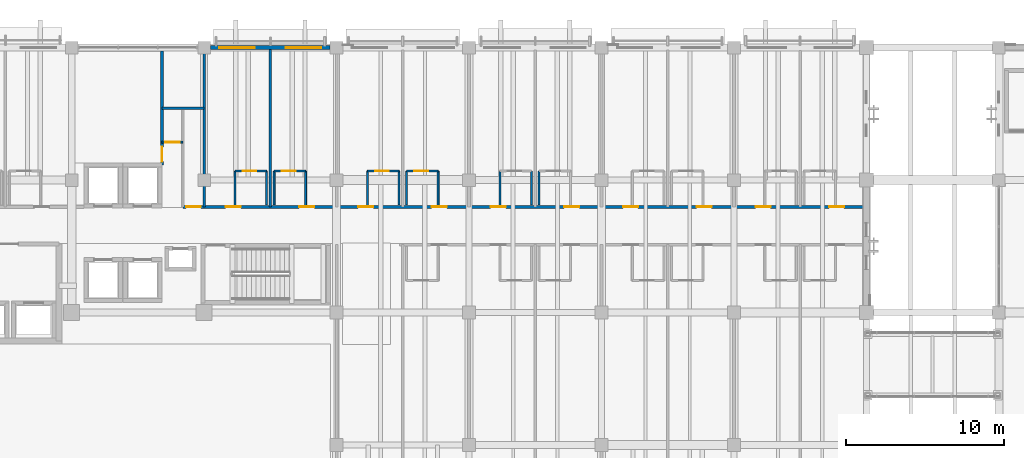
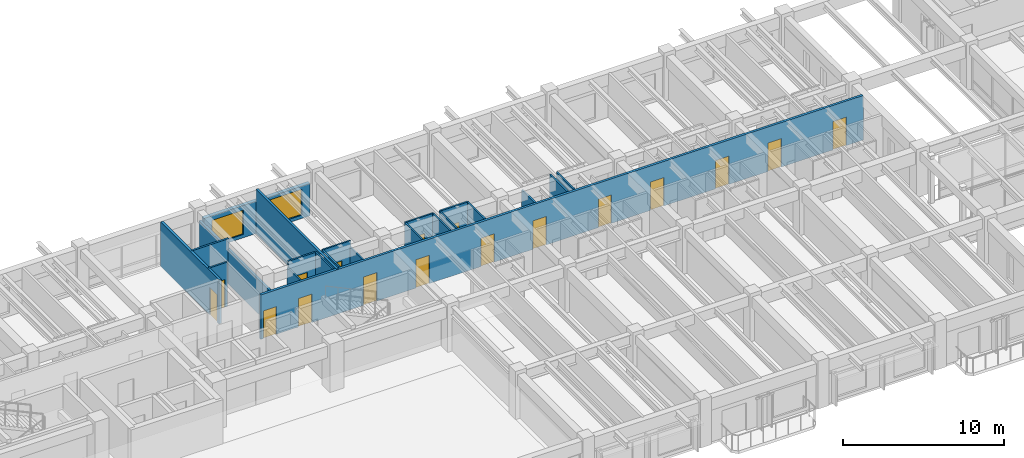
# One storey, part 74 of 118: 22 walls, 17 doors, 2 windows, 19 openings.
"""IFC4 building model written with IfcOpenShell, lengths in metres."""

from ifc_helpers import new_model, si_unit, direction, frame, frame_2d, origin, place, context, subcontext, project, spatial, rectangle, extrude, material, layer, layer_set, type_object, element, fill, save


model = new_model("IFC4")

# Units and contexts
model_context = context("Model", 3, precision=1e-05, world=origin(), true_north=direction((0.0, 1.0)))
body_context = subcontext(model_context, "Body", "Model", "MODEL_VIEW")
ifc_project = project(units=[si_unit("LENGTHUNIT", "METRE"), si_unit("AREAUNIT", "SQUARE_METRE"), si_unit("VOLUMEUNIT", "CUBIC_METRE"), si_unit("PLANEANGLEUNIT", "RADIAN"), si_unit("MASSUNIT", "GRAM", prefix="KILO")], contexts=[model_context])

# Site, building, storey
site_placement = place(None, origin())
site = spatial("IfcSite", under=ifc_project, at=site_placement, CompositionType="ELEMENT")
building_placement = place(site_placement, origin())
building = spatial("IfcBuilding", under=site, at=building_placement, Name="Cumbredor Promenade Congress Hotel", CompositionType="ELEMENT")
storey_placement = place(building_placement, frame((0.0, 0.0, 3.919921875)))
storey = spatial("IfcBuildingStorey", under=building, at=storey_placement, Name="L01", CompositionType="ELEMENT", Elevation=3.919921875)

# Wall, opening, door
ifc_material_1 = material(Name="Moisture-resistant gypsum board on steel studs", Category="steel")
ifc_layer_1 = layer(ifc_material_1, 0.114990234375, Name="Moisture-resistant gypsum board on steel studs", Category="steel")
ifc_layer_set_1 = layer_set([ifc_layer_1], Name="Moisture-resistant gypsum board on steel studs")
wall_type_1 = type_object("IfcWallType", Name="WL-BATH-115", PredefinedType="PARTITIONING", material=ifc_layer_set_1)
wall_1_placement = place(storey_placement, frame((43.9599609375, 109.77001953125, 0.0), z_axis=(0.0, 0.0, 1.0), x_axis=(1.0, 0.0, 0.0)))
wall_1 = element("IfcWall", 1, at=wall_1_placement, inside=storey, type_object=wall_type_1, Name="L01 Interior Partition W-L01-BH-0109", PredefinedType="PARTITIONING", context=body_context, shape_type="SweptSolid", body=[
    extrude(rectangle(XDim=2.0, YDim=0.114990234375, at=frame_2d((1.0, 0.0))), origin(), (0.0, 0.0, 1.0), 3.360107421875),
])
opening_1_placement = place(wall_1_placement, frame((0.5, 0.0, 0.0)))
opening_1 = element("IfcOpeningElement", 2, at=opening_1_placement, cuts=wall_1, Name="Opening ID-01", PredefinedType="OPENING", context=body_context, shape_type="SweptSolid", body=[
    extrude(rectangle(XDim=0.860107421875, YDim=2.050048828125, at=frame_2d((0.43017578125, 1.02490234375))), frame((0.0, 0.0673828125, 0.0), z_axis=(0.0, -1.0, 0.0), x_axis=(1.0, 0.0, 0.0)), (0.0, 0.0, 1.0), 0.135009765625),
])
ifc_material_2 = material(Name="Kiln-dried tropical hardwood", Category="wood")
door_type_1 = type_object("IfcDoorType", Name="DR-BATH-860", OperationType="NOTDEFINED", PredefinedType="DOOR", material=ifc_material_2)
door_1_placement = place(opening_1_placement, origin())
door_1 = element("IfcDoor", 3, at=door_1_placement, inside=storey, type_object=door_type_1, Name="L01 Interior Door W-L01-BH-0109-01", OperationType="SINGLE_SWING_LEFT", OverallHeight=2.050048828125, OverallWidth=0.860107421875, PredefinedType="DOOR", context=body_context, shape_type="SweptSolid", body=[
    extrude(rectangle(XDim=0.860107421875, YDim=2.050048828125, at=frame_2d((0.43017578125, 1.02490234375))), frame((0.0, 0.02490234375, 0.0), z_axis=(0.0, -1.0, 0.0), x_axis=(1.0, 0.0, 0.0)), (0.0, 0.0, 1.0), 0.050048828125),
])
fill(opening_1, door_1)

# Walls
wall_2_placement = place(storey_placement, frame((43.9599609375, 107.6201171875, 0.0), z_axis=(0.0, 0.0, 1.0), x_axis=(0.0, 1.0, 0.0)))
element("IfcWall", 4, at=wall_2_placement, inside=storey, type_object=wall_type_1, Name="L01 Interior Partition W-L01-BV1-0109", PredefinedType="PARTITIONING", context=body_context, shape_type="SweptSolid", body=[
    extrude(rectangle(XDim=2.14990234375, YDim=0.114990234375, at=frame_2d((1.074951171875, 0.0))), origin(), (0.0, 0.0, 1.0), 2.882080078125),
])
wall_3_placement = place(storey_placement, frame((45.9599609375, 107.6201171875, 0.0), z_axis=(0.0, 0.0, 1.0), x_axis=(0.0, 1.0, 0.0)))
element("IfcWall", 5, at=wall_3_placement, inside=storey, type_object=wall_type_1, Name="L01 Interior Partition W-L01-BV2-0109", PredefinedType="PARTITIONING", context=body_context, shape_type="SweptSolid", body=[
    extrude(rectangle(XDim=2.14990234375, YDim=0.114990234375, at=frame_2d((1.074951171875, 0.0))), origin(), (0.0, 0.0, 1.0), 3.360107421875),
])

# Wall, opening, door
wall_4_placement = place(storey_placement, frame((46.43994140625, 109.77001953125, 0.0), z_axis=(0.0, 0.0, 1.0), x_axis=(1.0, 0.0, 0.0)))
wall_4 = element("IfcWall", 6, at=wall_4_placement, inside=storey, type_object=wall_type_1, Name="L01 Interior Partition W-L01-BH-0110", PredefinedType="PARTITIONING", context=body_context, shape_type="SweptSolid", body=[
    extrude(rectangle(XDim=2.0, YDim=0.114990234375, at=frame_2d((1.0, 0.0))), origin(), (0.0, 0.0, 1.0), 3.360107421875),
])
opening_2_placement = place(wall_4_placement, frame((0.5, 0.0, 0.0)))
opening_2 = element("IfcOpeningElement", 7, at=opening_2_placement, cuts=wall_4, Name="Opening ID-01", PredefinedType="OPENING", context=body_context, shape_type="SweptSolid", body=[
    extrude(rectangle(XDim=0.860107421875, YDim=2.050048828125, at=frame_2d((0.43017578125, 1.02490234375))), frame((0.0, 0.0673828125, 0.0), z_axis=(0.0, -1.0, 0.0), x_axis=(1.0, 0.0, 0.0)), (0.0, 0.0, 1.0), 0.135009765625),
])
door_2_placement = place(opening_2_placement, origin())
door_2 = element("IfcDoor", 8, at=door_2_placement, inside=storey, type_object=door_type_1, Name="L01 Interior Door W-L01-BH-0110-01", OperationType="SINGLE_SWING_RIGHT", OverallHeight=2.050048828125, OverallWidth=0.860107421875, PredefinedType="DOOR", context=body_context, shape_type="SweptSolid", body=[
    extrude(rectangle(XDim=0.860107421875, YDim=2.050048828125, at=frame_2d((0.43017578125, 1.02490234375))), frame((0.0, 0.02490234375, 0.0), z_axis=(0.0, -1.0, 0.0), x_axis=(1.0, 0.0, 0.0)), (0.0, 0.0, 1.0), 0.050048828125),
])
fill(opening_2, door_2)

# Walls
wall_5_placement = place(storey_placement, frame((46.43994140625, 107.6201171875, 0.0), z_axis=(0.0, 0.0, 1.0), x_axis=(0.0, 1.0, 0.0)))
element("IfcWall", 9, at=wall_5_placement, inside=storey, type_object=wall_type_1, Name="L01 Interior Partition W-L01-BV1-0110", PredefinedType="PARTITIONING", context=body_context, shape_type="SweptSolid", body=[
    extrude(rectangle(XDim=2.14990234375, YDim=0.114990234375, at=frame_2d((1.074951171875, 0.0))), origin(), (0.0, 0.0, 1.0), 3.360107421875),
])
wall_6_placement = place(storey_placement, frame((48.43994140625, 107.6201171875, 0.0), z_axis=(0.0, 0.0, 1.0), x_axis=(0.0, 1.0, 0.0)))
element("IfcWall", 10, at=wall_6_placement, inside=storey, type_object=wall_type_1, Name="L01 Interior Partition W-L01-BV2-0110", PredefinedType="PARTITIONING", context=body_context, shape_type="SweptSolid", body=[
    extrude(rectangle(XDim=2.14990234375, YDim=0.114990234375, at=frame_2d((1.074951171875, 0.0))), origin(), (0.0, 0.0, 1.0), 2.882080078125),
])

# Wall, opening, door
wall_7_placement = place(storey_placement, frame((52.360107421875, 109.77001953125, 0.0), z_axis=(0.0, 0.0, 1.0), x_axis=(1.0, 0.0, 0.0)))
wall_7 = element("IfcWall", 11, at=wall_7_placement, inside=storey, type_object=wall_type_1, Name="L01 Interior Partition W-L01-BH-0111", PredefinedType="PARTITIONING", context=body_context, shape_type="SweptSolid", body=[
    extrude(rectangle(XDim=2.0, YDim=0.114990234375, at=frame_2d((1.0, 0.0))), origin(), (0.0, 0.0, 1.0), 3.360107421875),
])
opening_3_placement = place(wall_7_placement, frame((0.5, 0.0, 0.0)))
opening_3 = element("IfcOpeningElement", 12, at=opening_3_placement, cuts=wall_7, Name="Opening ID-01", PredefinedType="OPENING", context=body_context, shape_type="SweptSolid", body=[
    extrude(rectangle(XDim=0.860107421875, YDim=2.050048828125, at=frame_2d((0.43017578125, 1.02490234375))), frame((0.0, 0.0673828125, 0.0), z_axis=(0.0, -1.0, 0.0), x_axis=(1.0, 0.0, 0.0)), (0.0, 0.0, 1.0), 0.135009765625),
])
door_3_placement = place(opening_3_placement, origin())
door_3 = element("IfcDoor", 13, at=door_3_placement, inside=storey, type_object=door_type_1, Name="L01 Interior Door W-L01-BH-0111-01", OperationType="SINGLE_SWING_LEFT", OverallHeight=2.050048828125, OverallWidth=0.860107421875, PredefinedType="DOOR", context=body_context, shape_type="SweptSolid", body=[
    extrude(rectangle(XDim=0.860107421875, YDim=2.050048828125, at=frame_2d((0.43017578125, 1.02490234375))), frame((0.0, 0.02490234375, 0.0), z_axis=(0.0, -1.0, 0.0), x_axis=(1.0, 0.0, 0.0)), (0.0, 0.0, 1.0), 0.050048828125),
])
fill(opening_3, door_3)

# Walls
for number, where, z_axis, x_axis, name in (
    (14, (52.360107421875, 107.6201171875, 0.0), (0.0, 0.0, 1.0), (0.0, 1.0, 0.0), "L01 Interior Partition W-L01-BV1-0111"),
    (15, (54.360107421875, 107.6201171875, 0.0), (0.0, 0.0, 1.0), (0.0, 1.0, 0.0), "L01 Interior Partition W-L01-BV2-0111"),
):
    element("IfcWall", number, at=place(storey_placement, frame(where, z_axis=z_axis, x_axis=x_axis)), inside=storey, type_object=wall_type_1, Name=name, PredefinedType="PARTITIONING", context=body_context, shape_type="SweptSolid", body=[
        extrude(rectangle(XDim=2.14990234375, YDim=0.114990234375, at=frame_2d((1.074951171875, 0.0))), origin(), (0.0, 0.0, 1.0), 3.360107421875),
    ])

# Wall, opening, door
wall_8_placement = place(storey_placement, frame((54.840087890625, 109.77001953125, 0.0), z_axis=(0.0, 0.0, 1.0), x_axis=(1.0, 0.0, 0.0)))
wall_8 = element("IfcWall", 16, at=wall_8_placement, inside=storey, type_object=wall_type_1, Name="L01 Interior Partition W-L01-BH-0112", PredefinedType="PARTITIONING", context=body_context, shape_type="SweptSolid", body=[
    extrude(rectangle(XDim=2.0, YDim=0.114990234375, at=frame_2d((1.0, 0.0))), origin(), (0.0, 0.0, 1.0), 3.360107421875),
])
opening_4_placement = place(wall_8_placement, frame((0.5, 0.0, 0.0)))
opening_4 = element("IfcOpeningElement", 17, at=opening_4_placement, cuts=wall_8, Name="Opening ID-01", PredefinedType="OPENING", context=body_context, shape_type="SweptSolid", body=[
    extrude(rectangle(XDim=0.860107421875, YDim=2.050048828125, at=frame_2d((0.43017578125, 1.02490234375))), frame((0.0, 0.0673828125, 0.0), z_axis=(0.0, -1.0, 0.0), x_axis=(1.0, 0.0, 0.0)), (0.0, 0.0, 1.0), 0.135009765625),
])
door_4_placement = place(opening_4_placement, origin())
door_4 = element("IfcDoor", 18, at=door_4_placement, inside=storey, type_object=door_type_1, Name="L01 Interior Door W-L01-BH-0112-01", OperationType="SINGLE_SWING_RIGHT", OverallHeight=2.050048828125, OverallWidth=0.860107421875, PredefinedType="DOOR", context=body_context, shape_type="SweptSolid", body=[
    extrude(rectangle(XDim=0.860107421875, YDim=2.050048828125, at=frame_2d((0.43017578125, 1.02490234375))), frame((0.0, 0.02490234375, 0.0), z_axis=(0.0, -1.0, 0.0), x_axis=(1.0, 0.0, 0.0)), (0.0, 0.0, 1.0), 0.050048828125),
])
fill(opening_4, door_4)

# Walls
for number, where, z_axis, x_axis, name in (
    (19, (54.840087890625, 107.6201171875, 0.0), (0.0, 0.0, 1.0), (0.0, 1.0, 0.0), "L01 Interior Partition W-L01-BV1-0112"),
    (20, (56.840087890625, 107.6201171875, 0.0), (0.0, 0.0, 1.0), (0.0, 1.0, 0.0), "L01 Interior Partition W-L01-BV2-0112"),
):
    element("IfcWall", number, at=place(storey_placement, frame(where, z_axis=z_axis, x_axis=x_axis)), inside=storey, type_object=wall_type_1, Name=name, PredefinedType="PARTITIONING", context=body_context, shape_type="SweptSolid", body=[
        extrude(rectangle(XDim=2.14990234375, YDim=0.114990234375, at=frame_2d((1.074951171875, 0.0))), origin(), (0.0, 0.0, 1.0), 3.360107421875),
    ])
wall_9_placement = place(storey_placement, frame((60.760009765625, 107.6201171875, 0.0), z_axis=(0.0, 0.0, 1.0), x_axis=(0.0, 1.0, 0.0)))
element("IfcWall", 21, at=wall_9_placement, inside=storey, type_object=wall_type_1, Name="L01 Interior Partition W-L01-BV1-0113", PredefinedType="PARTITIONING", context=body_context, shape_type="SweptSolid", body=[
    extrude(rectangle(XDim=2.14990234375, YDim=0.114990234375, at=frame_2d((1.074951171875, 0.0))), origin(), (0.0, 0.0, 1.0), 2.882080078125),
])
for number, where, z_axis, x_axis, name in (
    (22, (62.760009765625, 107.6201171875, 0.0), (0.0, 0.0, 1.0), (0.0, 1.0, 0.0), "L01 Interior Partition W-L01-BV2-0113"),
    (23, (63.239990234375, 107.6201171875, 0.0), (0.0, 0.0, 1.0), (0.0, 1.0, 0.0), "L01 Interior Partition W-L01-BV1-0114"),
):
    element("IfcWall", number, at=place(storey_placement, frame(where, z_axis=z_axis, x_axis=x_axis)), inside=storey, type_object=wall_type_1, Name=name, PredefinedType="PARTITIONING", context=body_context, shape_type="SweptSolid", body=[
        extrude(rectangle(XDim=2.14990234375, YDim=0.114990234375, at=frame_2d((1.074951171875, 0.0))), origin(), (0.0, 0.0, 1.0), 3.360107421875),
    ])

# Wall, openings, doors
ifc_material_3 = material(Name="Fire-rated hotel corridor wall")
ifc_layer_2 = layer(ifc_material_3, 0.179931640625, Name="Fire-rated hotel corridor wall")
ifc_layer_set_2 = layer_set([ifc_layer_2], Name="Fire-rated hotel corridor wall")
wall_type_2 = type_object("IfcWallType", Name="WL-CORR-180", PredefinedType="PARTITIONING", material=ifc_layer_set_2)
wall_10_placement = place(storey_placement, frame((40.659912109375, 107.5, 0.0), z_axis=(0.0, 0.0, 1.0), x_axis=(1.0, 0.0, 0.0)))
wall_10 = element("IfcWall", 24, at=wall_10_placement, inside=storey, type_object=wall_type_2, Name="L01 Interior Partition W-L01-CORR-NE", PredefinedType="PARTITIONING", context=body_context, shape_type="SweptSolid", body=[
    extrude(rectangle(XDim=43.150146484375, YDim=0.179931640625, at=frame_2d((21.5751953125, 0.0))), origin(), (0.0, 0.0, 1.0), 3.360107421875),
])
opening_5_placement = place(wall_10_placement, frame((0.199951171875, 0.0, 0.0)))
opening_5 = element("IfcOpeningElement", 25, at=opening_5_placement, cuts=wall_10, Name="Opening FD-03", PredefinedType="OPENING", context=body_context, shape_type="SweptSolid", body=[
    extrude(rectangle(XDim=0.93994140625, YDim=2.10009765625, at=frame_2d((0.469970703125, 1.050048828125))), frame((0.0, 0.10009765625, 0.0), z_axis=(0.0, -1.0, 0.0), x_axis=(1.0, 0.0, 0.0)), (0.0, 0.0, 1.0), 0.199951171875),
])
opening_6_placement = place(wall_10_placement, frame((2.7099609375, 0.0, 0.0)))
opening_6 = element("IfcOpeningElement", 26, at=opening_6_placement, cuts=wall_10, Name="Opening FD-01", PredefinedType="OPENING", context=body_context, shape_type="SweptSolid", body=[
    extrude(rectangle(XDim=0.9599609375, YDim=2.14990234375, at=frame_2d((0.47998046875, 1.074951171875))), frame((0.0, 0.10009765625, 0.0), z_axis=(0.0, -1.0, 0.0), x_axis=(1.0, 0.0, 0.0)), (0.0, 0.0, 1.0), 0.199951171875),
])
opening_7_placement = place(wall_10_placement, frame((7.3701171875, 0.0, 0.0)))
opening_7 = element("IfcOpeningElement", 27, at=opening_7_placement, cuts=wall_10, Name="Opening FD-01", PredefinedType="OPENING", context=body_context, shape_type="SweptSolid", body=[
    extrude(rectangle(XDim=0.9599609375, YDim=2.14990234375, at=frame_2d((0.47998046875, 1.074951171875))), frame((0.0, 0.10009765625, 0.0), z_axis=(0.0, -1.0, 0.0), x_axis=(1.0, 0.0, 0.0)), (0.0, 0.0, 1.0), 0.199951171875),
])
opening_8_placement = place(wall_10_placement, frame((11.110107421875, 0.0, 0.0)))
opening_8 = element("IfcOpeningElement", 28, at=opening_8_placement, cuts=wall_10, Name="Opening FD-01", PredefinedType="OPENING", context=body_context, shape_type="SweptSolid", body=[
    extrude(rectangle(XDim=0.9599609375, YDim=2.14990234375, at=frame_2d((0.47998046875, 1.074951171875))), frame((0.0, 0.10009765625, 0.0), z_axis=(0.0, -1.0, 0.0), x_axis=(1.0, 0.0, 0.0)), (0.0, 0.0, 1.0), 0.199951171875),
])
opening_9_placement = place(wall_10_placement, frame((15.77001953125, 0.0, 0.0)))
opening_9 = element("IfcOpeningElement", 29, at=opening_9_placement, cuts=wall_10, Name="Opening FD-01", PredefinedType="OPENING", context=body_context, shape_type="SweptSolid", body=[
    extrude(rectangle(XDim=0.9599609375, YDim=2.14990234375, at=frame_2d((0.47998046875, 1.074951171875))), frame((0.0, 0.10009765625, 0.0), z_axis=(0.0, -1.0, 0.0), x_axis=(1.0, 0.0, 0.0)), (0.0, 0.0, 1.0), 0.199951171875),
])
opening_10_placement = place(wall_10_placement, frame((19.510009765625, 0.0, 0.0)))
opening_10 = element("IfcOpeningElement", 30, at=opening_10_placement, cuts=wall_10, Name="Opening FD-01", PredefinedType="OPENING", context=body_context, shape_type="SweptSolid", body=[
    extrude(rectangle(XDim=0.9599609375, YDim=2.14990234375, at=frame_2d((0.47998046875, 1.074951171875))), frame((0.0, 0.10009765625, 0.0), z_axis=(0.0, -1.0, 0.0), x_axis=(1.0, 0.0, 0.0)), (0.0, 0.0, 1.0), 0.199951171875),
])
opening_11_placement = place(wall_10_placement, frame((24.169921875, 0.0, 0.0)))
opening_11 = element("IfcOpeningElement", 31, at=opening_11_placement, cuts=wall_10, Name="Opening FD-01", PredefinedType="OPENING", context=body_context, shape_type="SweptSolid", body=[
    extrude(rectangle(XDim=0.9599609375, YDim=2.14990234375, at=frame_2d((0.47998046875, 1.074951171875))), frame((0.0, 0.10009765625, 0.0), z_axis=(0.0, -1.0, 0.0), x_axis=(1.0, 0.0, 0.0)), (0.0, 0.0, 1.0), 0.199951171875),
])
opening_12_placement = place(wall_10_placement, frame((27.909912109375, 0.0, 0.0)))
opening_12 = element("IfcOpeningElement", 32, at=opening_12_placement, cuts=wall_10, Name="Opening FD-01", PredefinedType="OPENING", context=body_context, shape_type="SweptSolid", body=[
    extrude(rectangle(XDim=0.9599609375, YDim=2.14990234375, at=frame_2d((0.47998046875, 1.074951171875))), frame((0.0, 0.10009765625, 0.0), z_axis=(0.0, -1.0, 0.0), x_axis=(1.0, 0.0, 0.0)), (0.0, 0.0, 1.0), 0.199951171875),
])
opening_13_placement = place(wall_10_placement, frame((32.570068359375, 0.0, 0.0)))
opening_13 = element("IfcOpeningElement", 33, at=opening_13_placement, cuts=wall_10, Name="Opening FD-01", PredefinedType="OPENING", context=body_context, shape_type="SweptSolid", body=[
    extrude(rectangle(XDim=0.9599609375, YDim=2.14990234375, at=frame_2d((0.47998046875, 1.074951171875))), frame((0.0, 0.10009765625, 0.0), z_axis=(0.0, -1.0, 0.0), x_axis=(1.0, 0.0, 0.0)), (0.0, 0.0, 1.0), 0.199951171875),
])
opening_14_placement = place(wall_10_placement, frame((36.31005859375, 0.0, 0.0)))
opening_14 = element("IfcOpeningElement", 34, at=opening_14_placement, cuts=wall_10, Name="Opening FD-01", PredefinedType="OPENING", context=body_context, shape_type="SweptSolid", body=[
    extrude(rectangle(XDim=0.9599609375, YDim=2.14990234375, at=frame_2d((0.47998046875, 1.074951171875))), frame((0.0, 0.10009765625, 0.0), z_axis=(0.0, -1.0, 0.0), x_axis=(1.0, 0.0, 0.0)), (0.0, 0.0, 1.0), 0.199951171875),
])
opening_15_placement = place(wall_10_placement, frame((40.969970703125, 0.0, 0.0)))
opening_15 = element("IfcOpeningElement", 35, at=opening_15_placement, cuts=wall_10, Name="Opening FD-01", PredefinedType="OPENING", context=body_context, shape_type="SweptSolid", body=[
    extrude(rectangle(XDim=0.9599609375, YDim=2.14990234375, at=frame_2d((0.47998046875, 1.074951171875))), frame((0.0, 0.10009765625, 0.0), z_axis=(0.0, -1.0, 0.0), x_axis=(1.0, 0.0, 0.0)), (0.0, 0.0, 1.0), 0.199951171875),
])
ifc_material_4 = material(Name="Solid-core fire-rated tropical hardwood", Category="wood")
door_type_2 = type_object("IfcDoorType", Name="DR-GUEST-FD30-950", OperationType="NOTDEFINED", PredefinedType="DOOR", material=ifc_material_4)
door_5_placement = place(opening_6_placement, origin())
door_5 = element("IfcDoor", 36, at=door_5_placement, inside=storey, type_object=door_type_2, Name="L01 Interior Door W-L01-CORR-NE-02", OperationType="SINGLE_SWING_RIGHT", OverallHeight=2.14990234375, OverallWidth=0.9599609375, PredefinedType="DOOR", context=body_context, shape_type="SweptSolid", body=[
    extrude(rectangle(XDim=0.9599609375, YDim=2.14990234375, at=frame_2d((0.47998046875, 1.074951171875))), frame((0.0, 0.02490234375, 0.0), z_axis=(0.0, -1.0, 0.0), x_axis=(1.0, 0.0, 0.0)), (0.0, 0.0, 1.0), 0.050048828125),
])
fill(opening_6, door_5)
door_6_placement = place(opening_7_placement, origin())
door_6 = element("IfcDoor", 37, at=door_6_placement, inside=storey, type_object=door_type_2, Name="L01 Interior Door W-L01-CORR-NE-03", OperationType="SINGLE_SWING_LEFT", OverallHeight=2.14990234375, OverallWidth=0.9599609375, PredefinedType="DOOR", context=body_context, shape_type="SweptSolid", body=[
    extrude(rectangle(XDim=0.9599609375, YDim=2.14990234375, at=frame_2d((0.47998046875, 1.074951171875))), frame((0.0, 0.02490234375, 0.0), z_axis=(0.0, -1.0, 0.0), x_axis=(1.0, 0.0, 0.0)), (0.0, 0.0, 1.0), 0.050048828125),
])
fill(opening_7, door_6)
door_7_placement = place(opening_8_placement, origin())
door_7 = element("IfcDoor", 38, at=door_7_placement, inside=storey, type_object=door_type_2, Name="L01 Interior Door W-L01-CORR-NE-04", OperationType="SINGLE_SWING_RIGHT", OverallHeight=2.14990234375, OverallWidth=0.9599609375, PredefinedType="DOOR", context=body_context, shape_type="SweptSolid", body=[
    extrude(rectangle(XDim=0.9599609375, YDim=2.14990234375, at=frame_2d((0.47998046875, 1.074951171875))), frame((0.0, 0.02490234375, 0.0), z_axis=(0.0, -1.0, 0.0), x_axis=(1.0, 0.0, 0.0)), (0.0, 0.0, 1.0), 0.050048828125),
])
fill(opening_8, door_7)
door_8_placement = place(opening_9_placement, origin())
door_8 = element("IfcDoor", 39, at=door_8_placement, inside=storey, type_object=door_type_2, Name="L01 Interior Door W-L01-CORR-NE-05", OperationType="SINGLE_SWING_LEFT", OverallHeight=2.14990234375, OverallWidth=0.9599609375, PredefinedType="DOOR", context=body_context, shape_type="SweptSolid", body=[
    extrude(rectangle(XDim=0.9599609375, YDim=2.14990234375, at=frame_2d((0.47998046875, 1.074951171875))), frame((0.0, 0.02490234375, 0.0), z_axis=(0.0, -1.0, 0.0), x_axis=(1.0, 0.0, 0.0)), (0.0, 0.0, 1.0), 0.050048828125),
])
fill(opening_9, door_8)
door_9_placement = place(opening_10_placement, origin())
door_9 = element("IfcDoor", 40, at=door_9_placement, inside=storey, type_object=door_type_2, Name="L01 Interior Door W-L01-CORR-NE-06", OperationType="SINGLE_SWING_RIGHT", OverallHeight=2.14990234375, OverallWidth=0.9599609375, PredefinedType="DOOR", context=body_context, shape_type="SweptSolid", body=[
    extrude(rectangle(XDim=0.9599609375, YDim=2.14990234375, at=frame_2d((0.47998046875, 1.074951171875))), frame((0.0, 0.02490234375, 0.0), z_axis=(0.0, -1.0, 0.0), x_axis=(1.0, 0.0, 0.0)), (0.0, 0.0, 1.0), 0.050048828125),
])
fill(opening_10, door_9)
door_10_placement = place(opening_11_placement, origin())
door_10 = element("IfcDoor", 41, at=door_10_placement, inside=storey, type_object=door_type_2, Name="L01 Interior Door W-L01-CORR-NE-07", OperationType="SINGLE_SWING_LEFT", OverallHeight=2.14990234375, OverallWidth=0.9599609375, PredefinedType="DOOR", context=body_context, shape_type="SweptSolid", body=[
    extrude(rectangle(XDim=0.9599609375, YDim=2.14990234375, at=frame_2d((0.47998046875, 1.074951171875))), frame((0.0, 0.02490234375, 0.0), z_axis=(0.0, -1.0, 0.0), x_axis=(1.0, 0.0, 0.0)), (0.0, 0.0, 1.0), 0.050048828125),
])
fill(opening_11, door_10)
door_11_placement = place(opening_12_placement, origin())
door_11 = element("IfcDoor", 42, at=door_11_placement, inside=storey, type_object=door_type_2, Name="L01 Interior Door W-L01-CORR-NE-08", OperationType="SINGLE_SWING_RIGHT", OverallHeight=2.14990234375, OverallWidth=0.9599609375, PredefinedType="DOOR", context=body_context, shape_type="SweptSolid", body=[
    extrude(rectangle(XDim=0.9599609375, YDim=2.14990234375, at=frame_2d((0.47998046875, 1.074951171875))), frame((0.0, 0.02490234375, 0.0), z_axis=(0.0, -1.0, 0.0), x_axis=(1.0, 0.0, 0.0)), (0.0, 0.0, 1.0), 0.050048828125),
])
fill(opening_12, door_11)
door_12_placement = place(opening_13_placement, origin())
door_12 = element("IfcDoor", 43, at=door_12_placement, inside=storey, type_object=door_type_2, Name="L01 Interior Door W-L01-CORR-NE-09", OperationType="SINGLE_SWING_LEFT", OverallHeight=2.14990234375, OverallWidth=0.9599609375, PredefinedType="DOOR", context=body_context, shape_type="SweptSolid", body=[
    extrude(rectangle(XDim=0.9599609375, YDim=2.14990234375, at=frame_2d((0.47998046875, 1.074951171875))), frame((0.0, 0.02490234375, 0.0), z_axis=(0.0, -1.0, 0.0), x_axis=(1.0, 0.0, 0.0)), (0.0, 0.0, 1.0), 0.050048828125),
])
fill(opening_13, door_12)
door_13_placement = place(opening_14_placement, origin())
door_13 = element("IfcDoor", 44, at=door_13_placement, inside=storey, type_object=door_type_2, Name="L01 Interior Door W-L01-CORR-NE-10", OperationType="SINGLE_SWING_RIGHT", OverallHeight=2.14990234375, OverallWidth=0.9599609375, PredefinedType="DOOR", context=body_context, shape_type="SweptSolid", body=[
    extrude(rectangle(XDim=0.9599609375, YDim=2.14990234375, at=frame_2d((0.47998046875, 1.074951171875))), frame((0.0, 0.02490234375, 0.0), z_axis=(0.0, -1.0, 0.0), x_axis=(1.0, 0.0, 0.0)), (0.0, 0.0, 1.0), 0.050048828125),
])
fill(opening_14, door_13)
door_14_placement = place(opening_15_placement, origin())
door_14 = element("IfcDoor", 45, at=door_14_placement, inside=storey, type_object=door_type_2, Name="L01 Interior Door W-L01-CORR-NE-11", OperationType="SINGLE_SWING_LEFT", OverallHeight=2.14990234375, OverallWidth=0.9599609375, PredefinedType="DOOR", context=body_context, shape_type="SweptSolid", body=[
    extrude(rectangle(XDim=0.9599609375, YDim=2.14990234375, at=frame_2d((0.47998046875, 1.074951171875))), frame((0.0, 0.02490234375, 0.0), z_axis=(0.0, -1.0, 0.0), x_axis=(1.0, 0.0, 0.0)), (0.0, 0.0, 1.0), 0.050048828125),
])
fill(opening_15, door_14)
ifc_material_5 = material(Name="Painted galvanized steel fire door", Category="steel")
door_type_3 = type_object("IfcDoorType", Name="DR-SGL-FD60-950", OperationType="NOTDEFINED", PredefinedType="DOOR", material=ifc_material_5)
door_15_placement = place(opening_5_placement, origin())
door_15 = element("IfcDoor", 46, at=door_15_placement, inside=storey, type_object=door_type_3, Name="L01 Interior Door W-L01-CORR-NE-01", OperationType="SINGLE_SWING_RIGHT", OverallHeight=2.10009765625, OverallWidth=0.93994140625, PredefinedType="DOOR", context=body_context, shape_type="SweptSolid", body=[
    extrude(rectangle(XDim=0.93994140625, YDim=2.10009765625, at=frame_2d((0.469970703125, 1.050048828125))), frame((0.0, 0.02490234375, 0.0), z_axis=(0.0, -1.0, 0.0), x_axis=(1.0, 0.0, 0.0)), (0.0, 0.0, 1.0), 0.050048828125),
])
fill(opening_5, door_15)

# Wall, opening, door
wall_11_placement = place(storey_placement, frame((39.330078125, 110.14990234375, 0.0), z_axis=(0.0, 0.0, 1.0), x_axis=(0.0, 1.0, 0.0)))
wall_11 = element("IfcWall", 47, at=wall_11_placement, inside=storey, type_object=wall_type_2, Name="L01 Interior Partition W-L01-SALON-E", PredefinedType="PARTITIONING", context=body_context, shape_type="SweptSolid", body=[
    extrude(rectangle(XDim=7.22509765625, YDim=0.179931640625, at=frame_2d((3.612548828125, 0.0))), origin(), (0.0, 0.0, 1.0), 3.360107421875),
])
opening_16_placement = place(wall_11_placement, frame((0.219970703125, 0.0, 0.0)))
opening_16 = element("IfcOpeningElement", 48, at=opening_16_placement, cuts=wall_11, Name="Opening FD-03", PredefinedType="OPENING", context=body_context, shape_type="SweptSolid", body=[
    extrude(rectangle(XDim=0.93994140625, YDim=2.10009765625, at=frame_2d((0.469970703125, 1.050048828125))), frame((0.0, 0.10009765625, 0.0), z_axis=(0.0, -1.0, 0.0), x_axis=(1.0, 0.0, 0.0)), (0.0, 0.0, 1.0), 0.199951171875),
])
door_16_placement = place(opening_16_placement, origin())
door_16 = element("IfcDoor", 49, at=door_16_placement, inside=storey, type_object=door_type_3, Name="L01 Interior Door W-L01-SALON-E-01", OperationType="SINGLE_SWING_LEFT", OverallHeight=2.10009765625, OverallWidth=0.93994140625, PredefinedType="DOOR", context=body_context, shape_type="SweptSolid", body=[
    extrude(rectangle(XDim=0.93994140625, YDim=2.10009765625, at=frame_2d((0.469970703125, 1.050048828125))), frame((0.0, 0.02490234375, 0.0), z_axis=(0.0, -1.0, 0.0), x_axis=(1.0, 0.0, 0.0)), (0.0, 0.0, 1.0), 0.050048828125),
])
fill(opening_16, door_16)

# Wall, openings, windows
ifc_material_6 = material(Name="Concrete C40/50", Category="concrete")
ifc_layer_3 = layer(ifc_material_6, 0.260009765625, Name="Concrete C40/50", Category="concrete")
ifc_layer_set_3 = layer_set([ifc_layer_3], Name="Concrete C40/50")
wall_type_3 = type_object("IfcWallType", Name="WL-EXT-260", PredefinedType="SOLIDWALL", material=ifc_layer_set_3)
wall_12_placement = place(storey_placement, frame((42.40087890625, 117.60009765625, 0.0), z_axis=(0.0, 0.0, 1.0), x_axis=(1.0, 0.0, 0.0)))
wall_12 = element("IfcWall", 50, at=wall_12_placement, inside=storey, type_object=wall_type_3, Name="L01 Stepped Congress Hotel Wing North Envelope Wall 6", PredefinedType="SOLIDWALL", context=body_context, shape_type="SweptSolid", body=[
    extrude(rectangle(XDim=7.59814453125, YDim=0.260009765625, at=frame_2d((3.799072265625, 0.0))), origin(), (0.0, 0.0, 1.0), 2.445068359375),
])
opening_17_placement = place(wall_12_placement, frame((0.573974609375, 0.0, 0.25)))
opening_17 = element("IfcOpeningElement", 51, at=opening_17_placement, cuts=wall_12, Name="Opening WN-01", PredefinedType="OPENING", context=body_context, shape_type="SweptSolid", body=[
    extrude(rectangle(XDim=2.25, YDim=1.85009765625, at=frame_2d((1.125, 0.925048828125))), frame((0.0, 0.14013671875, 0.0), z_axis=(0.0, -1.0, 0.0), x_axis=(1.0, 0.0, 0.0)), (0.0, 0.0, 1.0), 0.280029296875),
])
opening_18_placement = place(wall_12_placement, frame((4.77392578125, 0.0, 0.25)))
opening_18 = element("IfcOpeningElement", 52, at=opening_18_placement, cuts=wall_12, Name="Opening WN-07", PredefinedType="OPENING", context=body_context, shape_type="SweptSolid", body=[
    extrude(rectangle(XDim=2.25, YDim=1.949951171875, at=frame_2d((1.125, 0.97509765625))), frame((0.0, 0.14013671875, 0.0), z_axis=(0.0, -1.0, 0.0), x_axis=(1.0, 0.0, 0.0)), (0.0, 0.0, 1.0), 0.280029296875),
])
ifc_material_7 = material(Name="Thermally broken anodized aluminium and low-E glass", Category="aluminium")
window_type_1 = type_object("IfcWindowType", Name="Hospitality Floor-to-Ceiling Window WN-01 2250x1850", PartitioningType="DOUBLE_PANEL_VERTICAL", PredefinedType="WINDOW", material=ifc_material_7)
window_1_placement = place(opening_17_placement, origin())
window_1 = element("IfcWindow", 53, at=window_1_placement, inside=storey, type_object=window_type_1, Name="L01 Wide Hospitality Window 0208", OverallHeight=1.85009765625, OverallWidth=2.25, PartitioningType="DOUBLE_PANEL_VERTICAL", PredefinedType="WINDOW", context=body_context, shape_type="SweptSolid", body=[
    extrude(rectangle(XDim=2.25, YDim=1.85009765625, at=frame_2d((1.125, 0.925048828125))), frame((0.0, 0.030029296875, 0.0), z_axis=(0.0, -1.0, 0.0), x_axis=(1.0, 0.0, 0.0)), (0.0, 0.0, 1.0), 0.06005859375),
])
fill(opening_17, window_1)
window_type_2 = type_object("IfcWindowType", Name="Hospitality Floor-to-Ceiling Window WN-07 2250x1950", PartitioningType="DOUBLE_PANEL_VERTICAL", PredefinedType="WINDOW", material=ifc_material_7)
window_2_placement = place(opening_18_placement, origin())
window_2 = element("IfcWindow", 54, at=window_2_placement, inside=storey, type_object=window_type_2, Name="L01 Wide Hospitality Window 0209", OverallHeight=1.949951171875, OverallWidth=2.25, PartitioningType="DOUBLE_PANEL_VERTICAL", PredefinedType="WINDOW", context=body_context, shape_type="SweptSolid", body=[
    extrude(rectangle(XDim=2.25, YDim=1.949951171875, at=frame_2d((1.125, 0.97509765625))), frame((0.0, 0.030029296875, 0.0), z_axis=(0.0, -1.0, 0.0), x_axis=(1.0, 0.0, 0.0)), (0.0, 0.0, 1.0), 0.06005859375),
])
fill(opening_18, window_2)

# Wall, opening, door
ifc_material_8 = material(Name="Gypsum board on steel studs", Category="steel")
ifc_layer_4 = layer(ifc_material_8, 0.125, Name="Gypsum board on steel studs", Category="steel")
ifc_layer_set_4 = layer_set([ifc_layer_4], Name="Gypsum board on steel studs")
wall_type_4 = type_object("IfcWallType", Name="WL-PART-125", PredefinedType="PARTITIONING", material=ifc_layer_set_4)
wall_13_placement = place(storey_placement, frame((39.330078125, 111.60009765625, 0.0), z_axis=(0.0, 0.0, 1.0), x_axis=(1.0, 0.0, 0.0)))
wall_13 = element("IfcWall", 55, at=wall_13_placement, inside=storey, type_object=wall_type_4, Name="L01 Interior Partition W-L01-HK-S", PredefinedType="PARTITIONING", context=body_context, shape_type="SweptSolid", body=[
    extrude(rectangle(XDim=1.329833984375, YDim=0.125, at=frame_2d((0.6650390625, 0.0))), origin(), (0.0, 0.0, 1.0), 3.360107421875),
])
opening_19_placement = place(wall_13_placement, frame((0.195068359375, 0.0, 0.0)))
opening_19 = element("IfcOpeningElement", 56, at=opening_19_placement, cuts=wall_13, Name="Opening FD-03", PredefinedType="OPENING", context=body_context, shape_type="SweptSolid", body=[
    extrude(rectangle(XDim=0.93994140625, YDim=2.10009765625, at=frame_2d((0.469970703125, 1.050048828125))), frame((0.0, 0.072509765625, 0.0), z_axis=(0.0, -1.0, 0.0), x_axis=(1.0, 0.0, 0.0)), (0.0, 0.0, 1.0), 0.14501953125),
])
door_17_placement = place(opening_19_placement, origin())
door_17 = element("IfcDoor", 57, at=door_17_placement, inside=storey, type_object=door_type_3, Name="L01 Interior Door W-L01-HK-S-01", OperationType="SINGLE_SWING_LEFT", OverallHeight=2.10009765625, OverallWidth=0.93994140625, PredefinedType="DOOR", context=body_context, shape_type="SweptSolid", body=[
    extrude(rectangle(XDim=0.93994140625, YDim=2.10009765625, at=frame_2d((0.469970703125, 1.050048828125))), frame((0.0, 0.02490234375, 0.0), z_axis=(0.0, -1.0, 0.0), x_axis=(1.0, 0.0, 0.0)), (0.0, 0.0, 1.0), 0.050048828125),
])
fill(opening_19, door_17)

# Walls
ifc_material_9 = material(Name="Acoustic gypsum partition on steel studs", Category="steel")
ifc_layer_5 = layer(ifc_material_9, 0.139892578125, Name="Acoustic gypsum partition on steel studs", Category="steel")
ifc_layer_set_5 = layer_set([ifc_layer_5], Name="Acoustic gypsum partition on steel studs")
wall_type_5 = type_object("IfcWallType", Name="WL-PART-140", PredefinedType="PARTITIONING", material=ifc_layer_set_5)
wall_14_placement = place(storey_placement, frame((39.330078125, 113.75, 0.0), z_axis=(0.0, 0.0, 1.0), x_axis=(1.0, 0.0, 0.0)))
element("IfcWall", 58, at=wall_14_placement, inside=storey, type_object=wall_type_5, Name="L01 Interior Partition W-L01-HK-N", PredefinedType="PARTITIONING", context=body_context, shape_type="SweptSolid", body=[
    extrude(rectangle(XDim=2.669921875, YDim=0.139892578125, at=frame_2d((1.3349609375, 0.0))), origin(), (0.0, 0.0, 1.0), 3.360107421875),
])
ifc_material_10 = material(Name="Fire-rated acoustic double-stud partition")
ifc_layer_6 = layer(ifc_material_10, 0.1650390625, Name="Fire-rated acoustic double-stud partition")
ifc_layer_set_6 = layer_set([ifc_layer_6], Name="Fire-rated acoustic double-stud partition")
wall_type_6 = type_object("IfcWallType", Name="WL-UNIT-165", PredefinedType="PARTITIONING", material=ifc_layer_set_6)
wall_15_placement = place(storey_placement, frame((46.199951171875, 107.5, 0.0), z_axis=(0.0, 0.0, 1.0), x_axis=(0.0, 1.0, 0.0)))
element("IfcWall", 59, at=wall_15_placement, inside=storey, type_object=wall_type_6, Name="L01 Interior Partition W-L01-N-DIV-5-M", PredefinedType="PARTITIONING", context=body_context, shape_type="SweptSolid", body=[
    extrude(rectangle(XDim=9.969970703125, YDim=0.1650390625, at=frame_2d((4.98486328125, 0.0))), origin(), (0.0, 0.0, 1.0), 3.360107421875),
])
wall_16_placement = place(storey_placement, frame((42.0, 107.5, 0.0), z_axis=(0.0, 0.0, 1.0), x_axis=(0.0, 1.0, 0.0)))
element("IfcWall", 60, at=wall_16_placement, inside=storey, type_object=wall_type_6, Name="L01 Interior Partition W-L01-N-DIV-5-G", PredefinedType="PARTITIONING", context=body_context, shape_type="SweptSolid", body=[
    extrude(rectangle(XDim=9.75, YDim=0.1650390625, at=frame_2d((4.875, 0.0))), origin(), (0.0, 0.0, 1.0), 2.594970703125),
])

save(model, "model.ifc")
